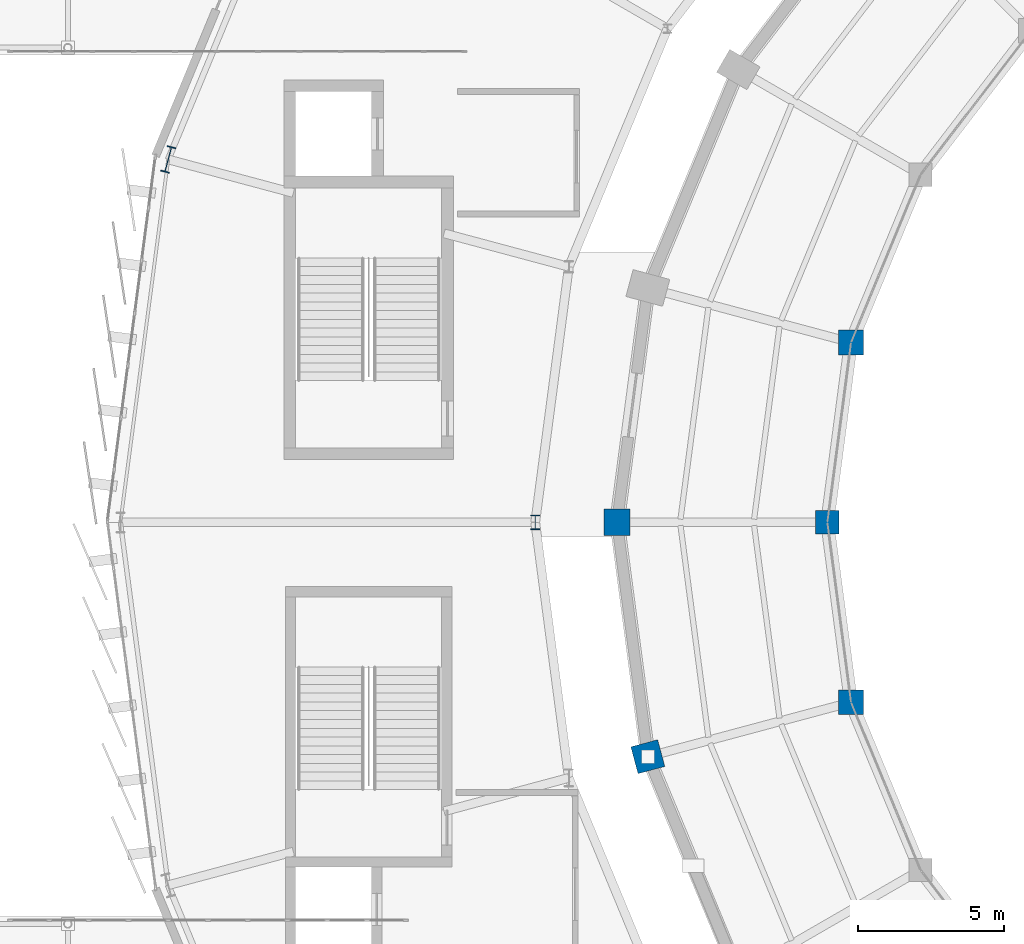
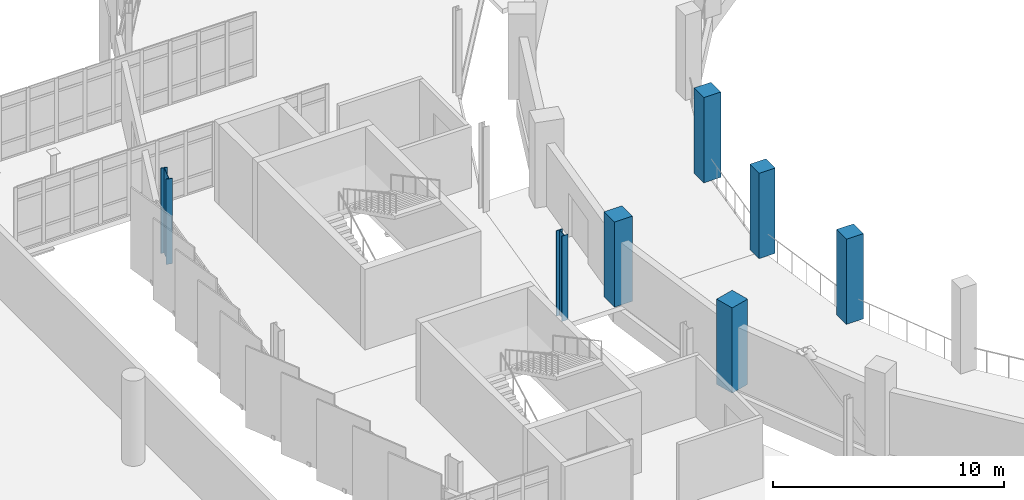
# One storey, part 12 of 125: 7 columns.
"""IFC4 building model written with IfcOpenShell, lengths in metres."""

from ifc_helpers import new_model, si_unit, direction, frame, origin, origin_2d, place, context, subcontext, project, spatial, rectangle, i_section, extrude, material, material_profile, profile_set, type_object, element, save


model = new_model("IFC4")

# Units and contexts
model_context = context("Model", 3, precision=1e-05, world=origin(), true_north=direction((0.0, 1.0)))
body_context = subcontext(model_context, "Body", "Model", "MODEL_VIEW")
ifc_project = project(units=[si_unit("LENGTHUNIT", "METRE"), si_unit("AREAUNIT", "SQUARE_METRE"), si_unit("VOLUMEUNIT", "CUBIC_METRE"), si_unit("PLANEANGLEUNIT", "RADIAN"), si_unit("MASSUNIT", "GRAM", prefix="KILO")], contexts=[model_context])

# Site, building, storey
site_placement = place(None, origin())
site = spatial("IfcSite", under=ifc_project, at=site_placement, CompositionType="ELEMENT")
building_placement = place(site_placement, origin())
building = spatial("IfcBuilding", under=site, at=building_placement, Name="Sohan Crest Arena", CompositionType="ELEMENT")
storey_placement = place(building_placement, frame((0.0, 0.0, 9.0)))
storey = spatial("IfcBuildingStorey", under=building, at=storey_placement, Name="L02", CompositionType="ELEMENT", Elevation=9.0)

# Columns
ifc_material_1 = material(Name="Concrete C40/50", Category="concrete")
ifc_material_profile_1 = material_profile(ifc_material_1, rectangle(XDim=0.800048828125, YDim=0.800048828125, at=origin_2d()), Name="RC 800x800")
ifc_profile_set_1 = profile_set([ifc_material_profile_1], Name="Concrete C40/50")
column_type_1 = type_object("IfcColumnType", Name="STR-COL-C05", PredefinedType="COLUMN", material=ifc_profile_set_1)
column_1_placement = place(storey_placement, frame((74.199951171875, 78.0, 0.0), z_axis=(0.0, 0.0, 1.0), x_axis=(1.0, 0.0, 0.0)))
element("IfcColumn", 1, at=column_1_placement, inside=storey, type_object=column_type_1, Name="Structural column COL-V1M-07-L02", PredefinedType="COLUMN", context=body_context, shape_type="SweptSolid", body=[
    extrude(rectangle(XDim=0.800048828125, YDim=0.800048828125, at=origin_2d()), origin(), (0.0, 0.0, 1.0), 4.5),
])
ifc_material_profile_2 = material_profile(ifc_material_1, rectangle(XDim=0.85009765625, YDim=0.85009765625, at=origin_2d()), Name="RC 850x850")
ifc_profile_set_2 = profile_set([ifc_material_profile_2], Name="Concrete C40/50")
column_type_2 = type_object("IfcColumnType", Name="STR-COL-C06", PredefinedType="COLUMN", material=ifc_profile_set_2)
for number, where, z_axis, x_axis, name in (
    (2, (75.010986328125, 84.159912109375, 0.0), (0.0, 0.0, 1.0), (1.0, 0.0, 0.0), "Structural column COL-V1M-06-L02"),
    (3, (75.010986328125, 71.840087890625, 0.0), (0.0, 0.0, 1.0), (1.0, 0.0, 0.0), "Structural column COL-V1M-08-L02"),
):
    element("IfcColumn", number, at=place(storey_placement, frame(where, z_axis=z_axis, x_axis=x_axis)), inside=storey, type_object=column_type_2, Name=name, PredefinedType="COLUMN", context=body_context, shape_type="SweptSolid", body=[
        extrude(rectangle(XDim=0.85009765625, YDim=0.85009765625, at=origin_2d()), origin(), (0.0, 0.0, 1.0), 4.5),
    ])
ifc_material_profile_3 = material_profile(ifc_material_1, rectangle(XDim=0.89990234375, YDim=0.89990234375, at=origin_2d()), Name="RC 900x900")
ifc_profile_set_3 = profile_set([ifc_material_profile_3], Name="Concrete C40/50")
column_type_3 = type_object("IfcColumnType", Name="STR-COL-C07", PredefinedType="COLUMN", material=ifc_profile_set_3)
column_2_placement = place(storey_placement, frame((67.0, 78.0, 0.0), z_axis=(0.0, 0.0, 1.0), x_axis=(1.0, 0.0, 0.0)))
element("IfcColumn", 4, at=column_2_placement, inside=storey, type_object=column_type_3, Name="Structural column COL-V1R-07-L02", PredefinedType="COLUMN", context=body_context, shape_type="SweptSolid", body=[
    extrude(rectangle(XDim=0.89990234375, YDim=0.89990234375, at=origin_2d()), origin(), (0.0, 0.0, 1.0), 4.5),
])
ifc_material_profile_4 = material_profile(ifc_material_1, rectangle(XDim=0.949951171875, YDim=0.949951171875, at=origin_2d()), Name="RC 950x950")
ifc_profile_set_4 = profile_set([ifc_material_profile_4], Name="Concrete C40/50")
column_type_4 = type_object("IfcColumnType", Name="STR-COL-C08", PredefinedType="COLUMN", material=ifc_profile_set_4)
column_3_placement = place(storey_placement, frame((68.055908203125, 69.97705078125, 0.0), z_axis=(0.0, 0.0, 1.0), x_axis=(0.965925826289, 0.258819045103, 0.0)))
element("IfcColumn", 5, at=column_3_placement, inside=storey, type_object=column_type_4, Name="Structural column COL-V1R-08-L02", PredefinedType="COLUMN", context=body_context, shape_type="SweptSolid", body=[
    extrude(rectangle(XDim=0.949951171875, YDim=0.949951171875, at=origin_2d()), origin(), (0.0, 0.0, 1.0), 4.5),
])
ifc_material_2 = material(Name="Steel S355", Category="steel")
ifc_material_profile_5 = material_profile(ifc_material_2, i_section(OverallWidth=0.300048828125, OverallDepth=0.5, WebThickness=0.014404296875, FlangeThickness=0.028076171875, at=origin_2d()), Name="HEB 500")
ifc_profile_set_5 = profile_set([ifc_material_profile_5], Name="Steel S355")
column_type_5 = type_object("IfcColumnType", Name="STR-COL-C19", PredefinedType="COLUMN", material=ifc_profile_set_5)
column_4_placement = place(storey_placement, frame((64.199951171875, 78.0, 0.0), z_axis=(0.0, 0.0, 1.0), x_axis=(1.0, 0.0, 0.0)))
element("IfcColumn", 6, at=column_4_placement, inside=storey, type_object=column_type_5, Name="Structural column COL-V2I-07-L02", PredefinedType="COLUMN", context=body_context, shape_type="SweptSolid", body=[
    extrude(i_section(OverallWidth=0.300048828125, OverallDepth=0.5, WebThickness=0.014404296875, FlangeThickness=0.028076171875, at=origin_2d()), origin(), (0.0, 0.0, 1.0), 4.5),
])
ifc_material_profile_6 = material_profile(ifc_material_2, i_section(OverallWidth=0.300048828125, OverallDepth=0.89990234375, WebThickness=0.0185546875, FlangeThickness=0.034912109375, at=origin_2d()), Name="HEB 900")
ifc_profile_set_6 = profile_set([ifc_material_profile_6], Name="Steel S355")
column_type_6 = type_object("IfcColumnType", Name="STR-COL-C23", PredefinedType="COLUMN", material=ifc_profile_set_6)
column_5_placement = place(storey_placement, frame((51.635986328125, 90.423095703125, 0.0), z_axis=(0.0, 0.0, 1.0), x_axis=(-0.965925826289, 0.258819045103, 0.0)))
element("IfcColumn", 7, at=column_5_placement, inside=storey, type_object=column_type_6, Name="Structural column COL-V2O-06-L02", PredefinedType="COLUMN", context=body_context, shape_type="SweptSolid", body=[
    extrude(i_section(OverallWidth=0.300048828125, OverallDepth=0.89990234375, WebThickness=0.0185546875, FlangeThickness=0.034912109375, at=origin_2d()), origin(), (0.0, 0.0, 1.0), 4.5),
])

save(model, "model.ifc")
